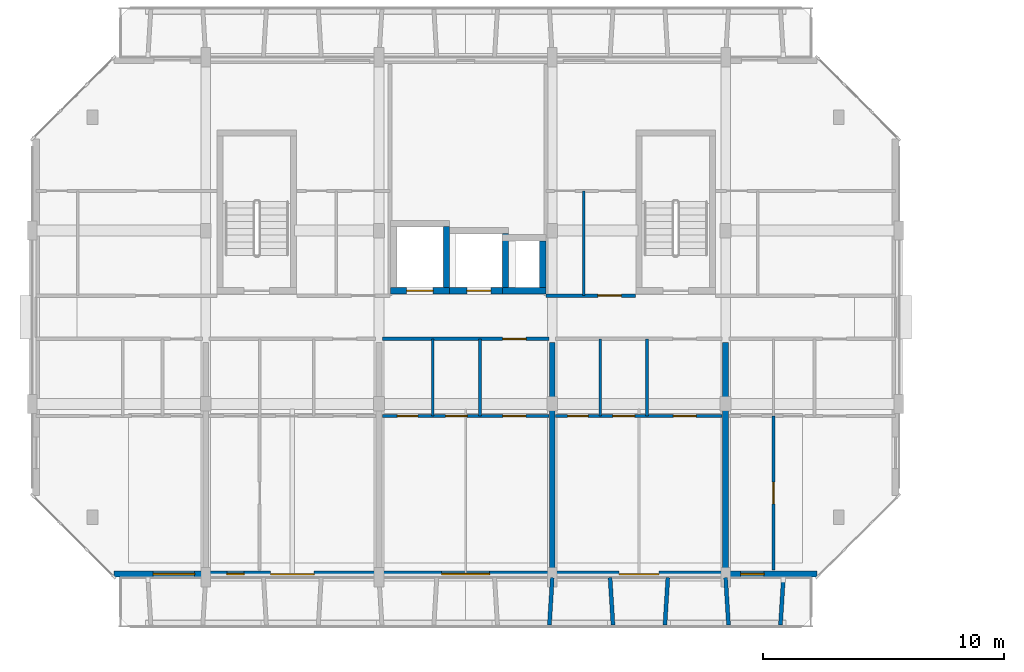
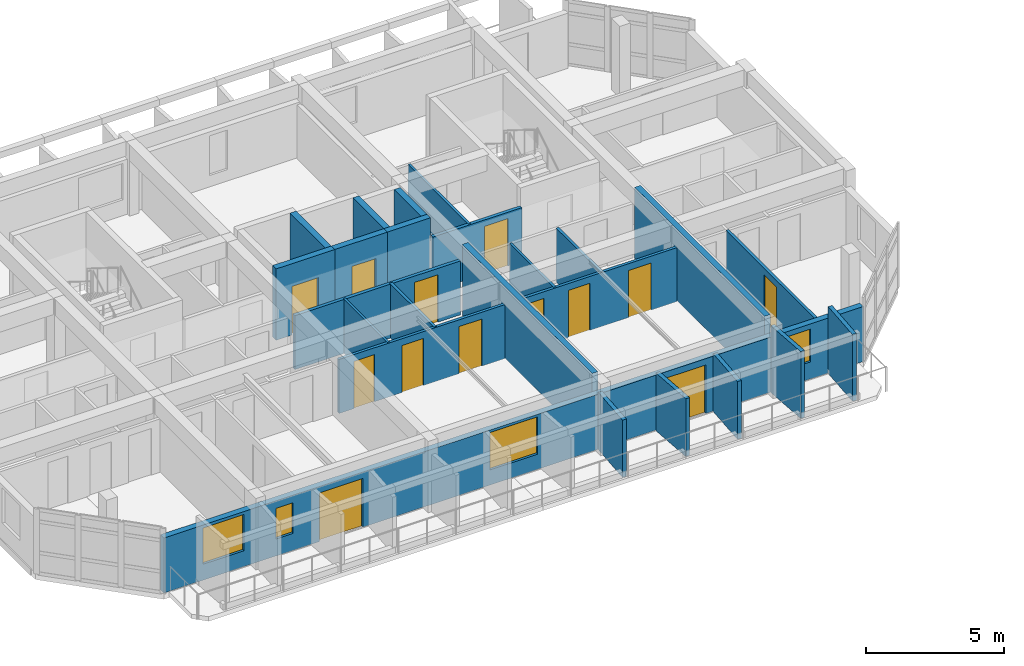
# One storey, part 16 of 44: 24 walls, 13 doors, 4 windows, 17 openings.
"""IFC4 building model written with IfcOpenShell, lengths in metres."""

from ifc_helpers import new_model, si_unit, direction, frame, frame_2d, origin, place, context, subcontext, project, spatial, rectangle, extrude, material, layer, layer_set, type_object, element, fill, save


model = new_model("IFC4")

# Units and contexts
model_context = context("Model", 3, precision=1e-05, world=origin(), true_north=direction((0.0, 1.0)))
body_context = subcontext(model_context, "Body", "Model", "MODEL_VIEW")
ifc_project = project(units=[si_unit("LENGTHUNIT", "METRE"), si_unit("AREAUNIT", "SQUARE_METRE"), si_unit("VOLUMEUNIT", "CUBIC_METRE"), si_unit("PLANEANGLEUNIT", "RADIAN"), si_unit("MASSUNIT", "GRAM", prefix="KILO")], contexts=[model_context])

# Site, building, storey
site_placement = place(None, origin())
site = spatial("IfcSite", under=ifc_project, at=site_placement, CompositionType="ELEMENT")
building_placement = place(site_placement, origin())
building = spatial("IfcBuilding", under=site, at=building_placement, Name="Ochrevale Crest", CompositionType="ELEMENT")
storey_placement = place(building_placement, frame((0.0, 0.0, 21.300048828125)))
storey = spatial("IfcBuildingStorey", under=building, at=storey_placement, Name="L06", CompositionType="ELEMENT", Elevation=21.300048828125)

# Wall, opening, door
ifc_material_1 = material(Name="Gypsum plasterboard", Category="gypsum")
ifc_layer_1 = layer(ifc_material_1, 0.139892578125)
ifc_layer_set_1 = layer_set([ifc_layer_1], Name="Gypsum plasterboard")
wall_type_1 = type_object("IfcWallType", Name="WL-COR-140", PredefinedType="PARTITIONING", material=ifc_layer_set_1)
wall_1_placement = place(storey_placement, frame((14.5400390625, 24.300048828125, 0.0), z_axis=(0.0, 0.0, 1.0), x_axis=(1.0, 0.0, 0.0)))
wall_1 = element("IfcWall", 1, at=wall_1_placement, inside=storey, type_object=wall_type_1, Name="Apartment A-L06-U3 corridor wall", PredefinedType="PARTITIONING", context=body_context, shape_type="SweptSolid", body=[
    extrude(rectangle(XDim=6.919921875, YDim=0.139892578125, at=frame_2d((3.4599609375, 0.0))), origin(), (0.0, 0.0, 1.0), 2.3798828125),
])
opening_1_placement = place(wall_1_placement, frame((5.97509765625, 0.0, 0.0), z_axis=(0.0, 0.0, 1.0), x_axis=(-1.0, 0.0, 0.0)))
opening_1 = element("IfcOpeningElement", 2, at=opening_1_placement, cuts=wall_1, Name="Opening FD01", PredefinedType="OPENING", context=body_context, shape_type="SweptSolid", body=[
    extrude(rectangle(XDim=0.97998046875, YDim=2.10009765625, at=frame_2d((0.489990234375, 1.050048828125))), frame((0.0, 0.080078125, 0.0), z_axis=(0.0, -1.0, 0.0), x_axis=(1.0, 0.0, 0.0)), (0.0, 0.0, 1.0), 0.159912109375),
])
ifc_material_2 = material(Name="Solid-core FSC hardwood", Category="wood")
door_type_1 = type_object("IfcDoorType", Name="DR-APT-950", OperationType="NOTDEFINED", PredefinedType="DOOR", material=ifc_material_2)
door_1_placement = place(opening_1_placement, origin())
door_1 = element("IfcDoor", 3, at=door_1_placement, inside=storey, type_object=door_type_1, Name="Apartment A-L06-U3 entrance door", OperationType="SINGLE_SWING_RIGHT", OverallHeight=2.10009765625, OverallWidth=0.97998046875, PredefinedType="DOOR", context=body_context, shape_type="SweptSolid", body=[
    extrude(rectangle(XDim=0.97998046875, YDim=2.10009765625, at=frame_2d((0.489990234375, 1.050048828125))), frame((0.0, 0.02490234375, 0.0), z_axis=(0.0, -1.0, 0.0), x_axis=(1.0, 0.0, 0.0)), (0.0, 0.0, 1.0), 0.050048828125),
])
fill(opening_1, door_1)

wall_2_placement = place(storey_placement, frame((21.340087890625, 26.10009765625, 0.0), z_axis=(0.0, 0.0, 1.0), x_axis=(1.0, 0.0, 0.0)))
wall_2 = element("IfcWall", 4, at=wall_2_placement, inside=storey, type_object=wall_type_1, Name="Suite A-L06-ME corridor wall", PredefinedType="PARTITIONING", context=body_context, shape_type="SweptSolid", body=[
    extrude(rectangle(XDim=3.719970703125, YDim=0.139892578125, at=frame_2d((1.85986328125, 0.0))), origin(), (0.0, 0.0, 1.0), 2.3798828125),
])
opening_2_placement = place(wall_2_placement, frame((2.151123046875, 0.0, 0.0)))
opening_2 = element("IfcOpeningElement", 5, at=opening_2_placement, cuts=wall_2, Name="Opening FD01", PredefinedType="OPENING", context=body_context, shape_type="SweptSolid", body=[
    extrude(rectangle(XDim=0.97998046875, YDim=2.10009765625, at=frame_2d((0.489990234375, 1.050048828125))), frame((0.0, 0.080078125, 0.0), z_axis=(0.0, -1.0, 0.0), x_axis=(1.0, 0.0, 0.0)), (0.0, 0.0, 1.0), 0.159912109375),
])
door_2_placement = place(opening_2_placement, origin())
door_2 = element("IfcDoor", 6, at=door_2_placement, inside=storey, type_object=door_type_1, Name="Suite A-L06-ME entrance door", OperationType="SINGLE_SWING_LEFT", OverallHeight=2.10009765625, OverallWidth=0.97998046875, PredefinedType="DOOR", context=body_context, shape_type="SweptSolid", body=[
    extrude(rectangle(XDim=0.97998046875, YDim=2.10009765625, at=frame_2d((0.489990234375, 1.050048828125))), frame((0.0, 0.02490234375, 0.0), z_axis=(0.0, -1.0, 0.0), x_axis=(1.0, 0.0, 0.0)), (0.0, 0.0, 1.0), 0.050048828125),
])
fill(opening_2, door_2)

ifc_material_3 = material(Name="Precast concrete C50/60", Category="concrete")
ifc_layer_2 = layer(ifc_material_3, 0.2548828125)
ifc_layer_set_2 = layer_set([ifc_layer_2], Name="Precast concrete C50/60")
wall_type_2 = type_object("IfcWallType", Name="WL-CORE-255", PredefinedType="SHEAR", material=ifc_layer_set_2)
wall_3_placement = place(storey_placement, frame((14.87255859375, 26.300048828125, 0.0), z_axis=(0.0, 0.0, 1.0), x_axis=(1.0, 0.0, 0.0)))
wall_3 = element("IfcWall", 7, at=wall_3_placement, inside=storey, type_object=wall_type_2, Name="Block A L06 Lift 1 precast shaft shear wall S", PredefinedType="SHEAR", context=body_context, shape_type="SweptSolid", body=[
    extrude(rectangle(XDim=2.454833984375, YDim=0.2548828125, at=frame_2d((1.2275390625, 0.0))), origin(), (0.0, 0.0, 1.0), 3.14990234375),
])
opening_3_placement = place(wall_3_placement, frame((0.677490234375, 0.0, 0.0)))
opening_3 = element("IfcOpeningElement", 8, at=opening_3_placement, cuts=wall_3, Name="Opening LD01", PredefinedType="OPENING", context=body_context, shape_type="SweptSolid", body=[
    extrude(rectangle(XDim=1.10009765625, YDim=2.14990234375, at=frame_2d((0.550048828125, 1.074951171875))), frame((0.0, 0.137451171875, 0.0), z_axis=(0.0, -1.0, 0.0), x_axis=(1.0, 0.0, 0.0)), (0.0, 0.0, 1.0), 0.27490234375),
])
door_type_2 = type_object("IfcDoorType", Name="DR-LIFT-1100", OperationType="NOTDEFINED", PredefinedType="DOOR", material=ifc_material_2)
door_3_placement = place(opening_3_placement, origin())
door_3 = element("IfcDoor", 9, at=door_3_placement, inside=storey, type_object=door_type_2, Name="Lift LF-A1 L06 sliding landing door", OperationType="SLIDING_TO_LEFT", OverallHeight=2.14990234375, OverallWidth=1.10009765625, PredefinedType="DOOR", context=body_context, shape_type="SweptSolid", body=[
    extrude(rectangle(XDim=1.10009765625, YDim=2.14990234375, at=frame_2d((0.550048828125, 1.074951171875))), frame((0.0, 0.02490234375, 0.0), z_axis=(0.0, -1.0, 0.0), x_axis=(1.0, 0.0, 0.0)), (0.0, 0.0, 1.0), 0.050048828125),
])
fill(opening_3, door_3)

# Wall
wall_4_placement = place(storey_placement, frame((17.199951171875, 26.427490234375, 0.0), z_axis=(0.0, 0.0, 1.0), x_axis=(0.0, 1.0, 0.0)))
element("IfcWall", 10, at=wall_4_placement, inside=storey, type_object=wall_type_2, Name="Block A L06 Lift 1 precast shaft shear wall E", PredefinedType="SHEAR", context=body_context, shape_type="SweptSolid", body=[
    extrude(rectangle(XDim=2.544921875, YDim=0.2548828125, at=frame_2d((1.2724609375, 0.0))), origin(), (0.0, 0.0, 1.0), 3.14990234375),
])

# Wall, opening, door
wall_5_placement = place(storey_placement, frame((17.322509765625, 26.300048828125, 0.0), z_axis=(0.0, 0.0, 1.0), x_axis=(1.0, 0.0, 0.0)))
wall_5 = element("IfcWall", 11, at=wall_5_placement, inside=storey, type_object=wall_type_2, Name="Block A L06 Lift 2 precast shaft shear wall S", PredefinedType="SHEAR", context=body_context, shape_type="SweptSolid", body=[
    extrude(rectangle(XDim=2.455078125, YDim=0.2548828125, at=frame_2d((1.2275390625, 0.0))), origin(), (0.0, 0.0, 1.0), 3.14990234375),
])
opening_4_placement = place(wall_5_placement, frame((0.7275390625, 0.0, 0.0)))
opening_4 = element("IfcOpeningElement", 12, at=opening_4_placement, cuts=wall_5, Name="Opening LD02", PredefinedType="OPENING", context=body_context, shape_type="SweptSolid", body=[
    extrude(rectangle(XDim=1.0, YDim=2.14990234375, at=frame_2d((0.5, 1.074951171875))), frame((0.0, 0.137451171875, 0.0), z_axis=(0.0, -1.0, 0.0), x_axis=(1.0, 0.0, 0.0)), (0.0, 0.0, 1.0), 0.27490234375),
])
door_type_3 = type_object("IfcDoorType", Name="DR-LIFT-1000", OperationType="NOTDEFINED", PredefinedType="DOOR", material=ifc_material_2)
door_4_placement = place(opening_4_placement, origin())
door_4 = element("IfcDoor", 13, at=door_4_placement, inside=storey, type_object=door_type_3, Name="Lift LP-A2 L06 sliding landing door", OperationType="SLIDING_TO_RIGHT", OverallHeight=2.14990234375, OverallWidth=1.0, PredefinedType="DOOR", context=body_context, shape_type="SweptSolid", body=[
    extrude(rectangle(XDim=1.0, YDim=2.14990234375, at=frame_2d((0.5, 1.074951171875))), frame((0.0, 0.02490234375, 0.0), z_axis=(0.0, -1.0, 0.0), x_axis=(1.0, 0.0, 0.0)), (0.0, 0.0, 1.0), 0.050048828125),
])
fill(opening_4, door_4)

# Walls
wall_6_placement = place(storey_placement, frame((19.64990234375, 26.427490234375, 0.0), z_axis=(0.0, 0.0, 1.0), x_axis=(0.0, 1.0, 0.0)))
element("IfcWall", 14, at=wall_6_placement, inside=storey, type_object=wall_type_2, Name="Block A L06 Lift 2 precast shaft shear wall E", PredefinedType="SHEAR", context=body_context, shape_type="SweptSolid", body=[
    extrude(rectangle(XDim=2.2451171875, YDim=0.2548828125, at=frame_2d((1.12255859375, 0.0))), origin(), (0.0, 0.0, 1.0), 3.14990234375),
])
wall_7_placement = place(storey_placement, frame((19.5224609375, 26.300048828125, 0.0), z_axis=(0.0, 0.0, 1.0), x_axis=(1.0, 0.0, 0.0)))
element("IfcWall", 15, at=wall_7_placement, inside=storey, type_object=wall_type_2, Name="Block A L06 services riser shaft core wall S", PredefinedType="SHEAR", context=body_context, shape_type="SweptSolid", body=[
    extrude(rectangle(XDim=1.804931640625, YDim=0.2548828125, at=frame_2d((0.90234375, 0.0))), origin(), (0.0, 0.0, 1.0), 3.14990234375),
])
wall_8_placement = place(storey_placement, frame((21.199951171875, 26.427490234375, 0.0), z_axis=(0.0, 0.0, 1.0), x_axis=(0.0, 1.0, 0.0)))
element("IfcWall", 16, at=wall_8_placement, inside=storey, type_object=wall_type_2, Name="Block A L06 services riser shaft core wall E", PredefinedType="SHEAR", context=body_context, shape_type="SweptSolid", body=[
    extrude(rectangle(XDim=1.945068359375, YDim=0.2548828125, at=frame_2d((0.97265625, 0.0))), origin(), (0.0, 0.0, 1.0), 3.14990234375),
])

# Wall, openings, doors, windows
ifc_material_4 = material(Name="Precast concrete C40/50", Category="concrete")
ifc_layer_3 = layer(ifc_material_4, 0.25)
ifc_layer_set_3 = layer_set([ifc_layer_3], Name="Precast concrete C40/50")
wall_type_3 = type_object("IfcWallType", Name="WL-EXT-GOLD-250", PredefinedType="SOLIDWALL", material=ifc_layer_set_3)
wall_9_placement = place(storey_placement, frame((3.39990234375, 14.52490234375, 0.0), z_axis=(0.0, 0.0, 1.0), x_axis=(1.0, 0.0, 0.0)))
wall_9 = element("IfcWall", 17, at=wall_9_placement, inside=storey, type_object=wall_type_3, Name="Block A L06 external facade wall E1", PredefinedType="SOLIDWALL", context=body_context, shape_type="SweptSolid", body=[
    extrude(rectangle(XDim=29.2001953125, YDim=0.25, at=frame_2d((14.60009765625, 0.0))), origin(), (0.0, 0.0, 1.0), 2.429931640625),
])
opening_5_placement = place(wall_9_placement, frame((8.300048828125, 0.0, 0.0), z_axis=(0.0, 0.0, 1.0), x_axis=(-1.0, 0.0, 0.0)))
opening_5 = element("IfcOpeningElement", 18, at=opening_5_placement, cuts=wall_9, Name="Opening BD03", PredefinedType="OPENING", context=body_context, shape_type="SweptSolid", body=[
    extrude(rectangle(XDim=1.800048828125, YDim=2.14990234375, at=frame_2d((0.89990234375, 1.074951171875))), frame((0.0, 0.135009765625, 0.0), z_axis=(0.0, -1.0, 0.0), x_axis=(1.0, 0.0, 0.0)), (0.0, 0.0, 1.0), 0.27001953125),
])
opening_6_placement = place(wall_9_placement, frame((22.625, 0.0, 0.0), z_axis=(0.0, 0.0, 1.0), x_axis=(-1.0, 0.0, 0.0)))
opening_6 = element("IfcOpeningElement", 19, at=opening_6_placement, cuts=wall_9, Name="Opening BD02", PredefinedType="OPENING", context=body_context, shape_type="SweptSolid", body=[
    extrude(rectangle(XDim=1.64990234375, YDim=2.14990234375, at=frame_2d((0.824951171875, 1.074951171875))), frame((0.0, 0.135009765625, 0.0), z_axis=(0.0, -1.0, 0.0), x_axis=(1.0, 0.0, 0.0)), (0.0, 0.0, 1.0), 0.27001953125),
])
opening_7_placement = place(wall_9_placement, frame((1.6201171875, 0.0, 0.699951171875)))
opening_7 = element("IfcOpeningElement", 20, at=opening_7_placement, cuts=wall_9, Name="Opening W10", PredefinedType="OPENING", context=body_context, shape_type="SweptSolid", body=[
    extrude(rectangle(XDim=1.719970703125, YDim=1.60009765625, at=frame_2d((0.85986328125, 0.800048828125))), frame((0.0, 0.135009765625, 0.0), z_axis=(0.0, -1.0, 0.0), x_axis=(1.0, 0.0, 0.0)), (0.0, 0.0, 1.0), 0.27001953125),
])
opening_8_placement = place(wall_9_placement, frame((4.675048828125, 0.0, 0.75)))
opening_8 = element("IfcOpeningElement", 21, at=opening_8_placement, cuts=wall_9, Name="Opening W02", PredefinedType="OPENING", context=body_context, shape_type="SweptSolid", body=[
    extrude(rectangle(XDim=0.719970703125, YDim=1.35009765625, at=frame_2d((0.35986328125, 0.675048828125))), frame((0.0, 0.135009765625, 0.0), z_axis=(0.0, -1.0, 0.0), x_axis=(1.0, 0.0, 0.0)), (0.0, 0.0, 1.0), 0.27001953125),
])
opening_9_placement = place(wall_9_placement, frame((13.60009765625, 0.0, 0.669921875)))
opening_9 = element("IfcOpeningElement", 22, at=opening_9_placement, cuts=wall_9, Name="Opening W12", PredefinedType="OPENING", context=body_context, shape_type="SweptSolid", body=[
    extrude(rectangle(XDim=2.0, YDim=1.64990234375, at=frame_2d((1.0, 0.824951171875))), frame((0.0, 0.135009765625, 0.0), z_axis=(0.0, -1.0, 0.0), x_axis=(1.0, 0.0, 0.0)), (0.0, 0.0, 1.0), 0.27001953125),
])
opening_10_placement = place(wall_9_placement, frame((26.02001953125, 0.0, 0.75)))
opening_10 = element("IfcOpeningElement", 23, at=opening_10_placement, cuts=wall_9, Name="Opening W04", PredefinedType="OPENING", context=body_context, shape_type="SweptSolid", body=[
    extrude(rectangle(XDim=0.97998046875, YDim=1.449951171875, at=frame_2d((0.489990234375, 0.72509765625))), frame((0.0, 0.135009765625, 0.0), z_axis=(0.0, -1.0, 0.0), x_axis=(1.0, 0.0, 0.0)), (0.0, 0.0, 1.0), 0.27001953125),
])
ifc_material_5 = material(Name="Anodised aluminium 6063-T5 and toughened glass", Category="aluminium")
door_type_4 = type_object("IfcDoorType", Name="DR-BAL-1650", OperationType="NOTDEFINED", PredefinedType="DOOR", material=ifc_material_5)
door_5_placement = place(opening_6_placement, origin())
door_5 = element("IfcDoor", 24, at=door_5_placement, inside=storey, type_object=door_type_4, Name="Block A L06 balcony door S4", OperationType="SINGLE_SWING_RIGHT", OverallHeight=2.14990234375, OverallWidth=1.64990234375, PredefinedType="DOOR", context=body_context, shape_type="SweptSolid", body=[
    extrude(rectangle(XDim=1.64990234375, YDim=2.14990234375, at=frame_2d((0.824951171875, 1.074951171875))), frame((0.0, 0.02490234375, 0.0), z_axis=(0.0, -1.0, 0.0), x_axis=(1.0, 0.0, 0.0)), (0.0, 0.0, 1.0), 0.050048828125),
])
fill(opening_6, door_5)
door_type_5 = type_object("IfcDoorType", Name="DR-BAL-1800", OperationType="NOTDEFINED", PredefinedType="DOOR", material=ifc_material_5)
door_6_placement = place(opening_5_placement, origin())
door_6 = element("IfcDoor", 25, at=door_6_placement, inside=storey, type_object=door_type_5, Name="Block A L06 balcony door S2", OperationType="SINGLE_SWING_LEFT", OverallHeight=2.14990234375, OverallWidth=1.800048828125, PredefinedType="DOOR", context=body_context, shape_type="SweptSolid", body=[
    extrude(rectangle(XDim=1.800048828125, YDim=2.14990234375, at=frame_2d((0.89990234375, 1.074951171875))), frame((0.0, 0.02490234375, 0.0), z_axis=(0.0, -1.0, 0.0), x_axis=(1.0, 0.0, 0.0)), (0.0, 0.0, 1.0), 0.050048828125),
])
fill(opening_5, door_6)
ifc_material_6 = material(Name="Anodised aluminium 6063-T5 and low-E double glazing", Category="aluminium")
window_type_1 = type_object("IfcWindowType", Name="WIN-W02", PartitioningType="SINGLE_PANEL", PredefinedType="WINDOW", material=ifc_material_6)
window_1_placement = place(opening_8_placement, origin())
window_1 = element("IfcWindow", 26, at=window_1_placement, inside=storey, type_object=window_type_1, Name="Block A L06 Apartment A-L06-U2 Master Bedroom window", OverallHeight=1.35009765625, OverallWidth=0.719970703125, PartitioningType="SINGLE_PANEL", PredefinedType="WINDOW", context=body_context, shape_type="SweptSolid", body=[
    extrude(rectangle(XDim=0.719970703125, YDim=1.35009765625, at=frame_2d((0.35986328125, 0.675048828125))), frame((0.0, 0.030029296875, 0.0), z_axis=(0.0, -1.0, 0.0), x_axis=(1.0, 0.0, 0.0)), (0.0, 0.0, 1.0), 0.06005859375),
])
fill(opening_8, window_1)
window_type_2 = type_object("IfcWindowType", Name="WIN-W04", PartitioningType="SINGLE_PANEL", PredefinedType="WINDOW", material=ifc_material_6)
window_2_placement = place(opening_10_placement, origin())
window_2 = element("IfcWindow", 27, at=window_2_placement, inside=storey, type_object=window_type_2, Name="Block A L06 Apartment A-L06-U5 Double Bedroom window", OverallHeight=1.449951171875, OverallWidth=0.97998046875, PartitioningType="SINGLE_PANEL", PredefinedType="WINDOW", context=body_context, shape_type="SweptSolid", body=[
    extrude(rectangle(XDim=0.97998046875, YDim=1.449951171875, at=frame_2d((0.489990234375, 0.72509765625))), frame((0.0, 0.030029296875, 0.0), z_axis=(0.0, -1.0, 0.0), x_axis=(1.0, 0.0, 0.0)), (0.0, 0.0, 1.0), 0.06005859375),
])
fill(opening_10, window_2)
window_type_3 = type_object("IfcWindowType", Name="WIN-W10", PartitioningType="SINGLE_PANEL", PredefinedType="WINDOW", material=ifc_material_6)
window_3_placement = place(opening_7_placement, origin())
window_3 = element("IfcWindow", 28, at=window_3_placement, inside=storey, type_object=window_type_3, Name="Block A L06 Studio A-L06-U1 Living Room window", OverallHeight=1.60009765625, OverallWidth=1.719970703125, PartitioningType="SINGLE_PANEL", PredefinedType="WINDOW", context=body_context, shape_type="SweptSolid", body=[
    extrude(rectangle(XDim=1.719970703125, YDim=1.60009765625, at=frame_2d((0.85986328125, 0.800048828125))), frame((0.0, 0.030029296875, 0.0), z_axis=(0.0, -1.0, 0.0), x_axis=(1.0, 0.0, 0.0)), (0.0, 0.0, 1.0), 0.06005859375),
])
fill(opening_7, window_3)
window_type_4 = type_object("IfcWindowType", Name="WIN-W12", PartitioningType="SINGLE_PANEL", PredefinedType="WINDOW", material=ifc_material_6)
window_4_placement = place(opening_9_placement, origin())
window_4 = element("IfcWindow", 29, at=window_4_placement, inside=storey, type_object=window_type_4, Name="Block A L06 Studio A-L06-U3 Living Room window", OverallHeight=1.64990234375, OverallWidth=2.0, PartitioningType="SINGLE_PANEL", PredefinedType="WINDOW", context=body_context, shape_type="SweptSolid", body=[
    extrude(rectangle(XDim=2.0, YDim=1.64990234375, at=frame_2d((1.0, 0.824951171875))), frame((0.0, 0.030029296875, 0.0), z_axis=(0.0, -1.0, 0.0), x_axis=(1.0, 0.0, 0.0)), (0.0, 0.0, 1.0), 0.06005859375),
])
fill(opening_9, window_4)

# Walls
ifc_layer_4 = layer(ifc_material_4, 0.1650390625)
ifc_layer_set_4 = layer_set([ifc_layer_4], Name="Precast concrete C40/50")
wall_type_4 = type_object("IfcWallType", Name="WL-HC-CHEEK-165", PredefinedType="ELEMENTEDWALL", material=ifc_layer_set_4)
wall_10_placement = place(storey_placement, frame((21.60009765625, 14.3798828125, 0.0), z_axis=(0.0, 0.0, 1.0), x_axis=(-0.061170732449, -0.998127317276, 0.0)))
element("IfcWall", 30, at=wall_10_placement, inside=storey, type_object=wall_type_4, Name="Block A L06 S precast honeycomb cheek 8", PredefinedType="ELEMENTEDWALL", context=body_context, shape_type="SweptSolid", body=[
    extrude(rectangle(XDim=1.963623046875, YDim=0.1650390625, at=frame_2d((0.98193359375, 0.0))), origin(), (0.0, 0.0, 1.0), 2.530029296875),
])
for number, where, z_axis, x_axis, name in (
    (31, (24.0, 14.3798828125, 0.0), (0.0, 0.0, 1.0), (0.061170732449, -0.998127317276, 0.0), "Block A L06 S precast honeycomb cheek 9"),
    (32, (26.39990234375, 14.3798828125, 0.0), (0.0, 0.0, 1.0), (-0.061046865508, -0.998134900808, 0.0), "Block A L06 S precast honeycomb cheek 10"),
):
    element("IfcWall", number, at=place(storey_placement, frame(where, z_axis=z_axis, x_axis=x_axis)), inside=storey, type_object=wall_type_4, Name=name, PredefinedType="ELEMENTEDWALL", context=body_context, shape_type="SweptSolid", body=[
        extrude(rectangle(XDim=1.963623046875, YDim=0.1650390625, at=frame_2d((0.98193359375, 0.0))), origin(), (0.0, 0.0, 1.0), 2.550048828125),
    ])
for number, where, z_axis, x_axis, name in (
    (33, (28.800048828125, 14.3798828125, 0.0), (0.0, 0.0, 1.0), (0.061046865508, -0.998134900808, 0.0), "Block A L06 S precast honeycomb cheek 11"),
    (34, (31.199951171875, 14.3798828125, 0.0), (0.0, 0.0, 1.0), (-0.061046865508, -0.998134900808, 0.0), "Block A L06 S precast honeycomb cheek 12"),
):
    element("IfcWall", number, at=place(storey_placement, frame(where, z_axis=z_axis, x_axis=x_axis)), inside=storey, type_object=wall_type_4, Name=name, PredefinedType="ELEMENTEDWALL", context=body_context, shape_type="SweptSolid", body=[
        extrude(rectangle(XDim=1.963623046875, YDim=0.1650390625, at=frame_2d((0.98193359375, 0.0))), origin(), (0.0, 0.0, 1.0), 2.949951171875),
    ])
ifc_layer_5 = layer(ifc_material_1, 0.1201171875)
ifc_layer_set_5 = layer_set([ifc_layer_5], Name="Gypsum plasterboard")
wall_type_5 = type_object("IfcWallType", Name="WL-PART-120", PredefinedType="PARTITIONING", material=ifc_layer_set_5)
wall_11_placement = place(storey_placement, frame((18.590087890625, 21.10009765625, 0.0), z_axis=(0.0, 0.0, 1.0), x_axis=(0.0, 1.0, 0.0)))
element("IfcWall", 35, at=wall_11_placement, inside=storey, type_object=wall_type_5, Name="Apartment A-L06-U3 kitchen-foyer wall", PredefinedType="PARTITIONING", context=body_context, shape_type="SweptSolid", body=[
    extrude(rectangle(XDim=3.199951171875, YDim=0.1201171875, at=frame_2d((1.60009765625, 0.0))), origin(), (0.0, 0.0, 1.0), 2.3798828125),
])

# Wall, openings, doors
wall_12_placement = place(storey_placement, frame((14.5400390625, 21.10009765625, 0.0), z_axis=(0.0, 0.0, 1.0), x_axis=(1.0, 0.0, 0.0)))
wall_12 = element("IfcWall", 36, at=wall_12_placement, inside=storey, type_object=wall_type_5, Name="Apartment A-L06-U3 central partition", PredefinedType="PARTITIONING", context=body_context, shape_type="SweptSolid", body=[
    extrude(rectangle(XDim=6.919921875, YDim=0.1201171875, at=frame_2d((3.4599609375, 0.0))), origin(), (0.0, 0.0, 1.0), 2.3798828125),
])
opening_11_placement = place(wall_12_placement, frame((0.625, 0.0, 0.0)))
opening_11 = element("IfcOpeningElement", 37, at=opening_11_placement, cuts=wall_12, Name="Opening ID01", PredefinedType="OPENING", context=body_context, shape_type="SweptSolid", body=[
    extrude(rectangle(XDim=0.85009765625, YDim=2.080078125, at=frame_2d((0.425048828125, 1.0400390625))), frame((0.0, 0.070068359375, 0.0), z_axis=(0.0, -1.0, 0.0), x_axis=(1.0, 0.0, 0.0)), (0.0, 0.0, 1.0), 0.14013671875),
])
opening_12_placement = place(wall_12_placement, frame((3.52490234375, 0.0, 0.0), z_axis=(0.0, 0.0, 1.0), x_axis=(-1.0, 0.0, 0.0)))
opening_12 = element("IfcOpeningElement", 38, at=opening_12_placement, cuts=wall_12, Name="Opening ID02", PredefinedType="OPENING", context=body_context, shape_type="SweptSolid", body=[
    extrude(rectangle(XDim=0.89990234375, YDim=2.080078125, at=frame_2d((0.449951171875, 1.0400390625))), frame((0.0, 0.070068359375, 0.0), z_axis=(0.0, -1.0, 0.0), x_axis=(1.0, 0.0, 0.0)), (0.0, 0.0, 1.0), 0.14013671875),
])
opening_13_placement = place(wall_12_placement, frame((5.010009765625, 0.0, 0.0)))
opening_13 = element("IfcOpeningElement", 39, at=opening_13_placement, cuts=wall_12, Name="Opening ID06", PredefinedType="OPENING", context=body_context, shape_type="SweptSolid", body=[
    extrude(rectangle(XDim=0.949951171875, YDim=2.080078125, at=frame_2d((0.47509765625, 1.0400390625))), frame((0.0, 0.070068359375, 0.0), z_axis=(0.0, -1.0, 0.0), x_axis=(1.0, 0.0, 0.0)), (0.0, 0.0, 1.0), 0.14013671875),
])
door_type_6 = type_object("IfcDoorType", Name="DR-INT-900", OperationType="NOTDEFINED", PredefinedType="DOOR", material=ifc_material_2)
door_7_placement = place(opening_12_placement, origin())
door_7 = element("IfcDoor", 40, at=door_7_placement, inside=storey, type_object=door_type_6, Name="Apartment A-L06-U3 Kitchen door", OperationType="SINGLE_SWING_RIGHT", OverallHeight=2.080078125, OverallWidth=0.89990234375, PredefinedType="DOOR", context=body_context, shape_type="SweptSolid", body=[
    extrude(rectangle(XDim=0.89990234375, YDim=2.080078125, at=frame_2d((0.449951171875, 1.0400390625))), frame((0.0, 0.02490234375, 0.0), z_axis=(0.0, -1.0, 0.0), x_axis=(1.0, 0.0, 0.0)), (0.0, 0.0, 1.0), 0.050048828125),
])
fill(opening_12, door_7)
door_type_7 = type_object("IfcDoorType", Name="DR-INT-950", OperationType="NOTDEFINED", PredefinedType="DOOR", material=ifc_material_2)
door_8_placement = place(opening_13_placement, origin())
door_8 = element("IfcDoor", 41, at=door_8_placement, inside=storey, type_object=door_type_7, Name="Apartment A-L06-U3 Living Foyer door", OperationType="SINGLE_SWING_LEFT", OverallHeight=2.080078125, OverallWidth=0.949951171875, PredefinedType="DOOR", context=body_context, shape_type="SweptSolid", body=[
    extrude(rectangle(XDim=0.949951171875, YDim=2.080078125, at=frame_2d((0.47509765625, 1.0400390625))), frame((0.0, 0.02490234375, 0.0), z_axis=(0.0, -1.0, 0.0), x_axis=(1.0, 0.0, 0.0)), (0.0, 0.0, 1.0), 0.050048828125),
])
fill(opening_13, door_8)
door_type_8 = type_object("IfcDoorType", Name="DR-WC-850", OperationType="NOTDEFINED", PredefinedType="DOOR", material=ifc_material_2)
door_9_placement = place(opening_11_placement, origin())
door_9 = element("IfcDoor", 42, at=door_9_placement, inside=storey, type_object=door_type_8, Name="Apartment A-L06-U3 Bathroom door", OperationType="SINGLE_SWING_LEFT", OverallHeight=2.080078125, OverallWidth=0.85009765625, PredefinedType="DOOR", context=body_context, shape_type="SweptSolid", body=[
    extrude(rectangle(XDim=0.85009765625, YDim=2.080078125, at=frame_2d((0.425048828125, 1.0400390625))), frame((0.0, 0.02490234375, 0.0), z_axis=(0.0, -1.0, 0.0), x_axis=(1.0, 0.0, 0.0)), (0.0, 0.0, 1.0), 0.050048828125),
])
fill(opening_11, door_9)

# Wall
wall_13_placement = place(storey_placement, frame((25.5400390625, 21.10009765625, 0.0), z_axis=(0.0, 0.0, 1.0), x_axis=(0.0, 1.0, 0.0)))
element("IfcWall", 43, at=wall_13_placement, inside=storey, type_object=wall_type_5, Name="Apartment A-L06-U4 kitchen-foyer wall", PredefinedType="PARTITIONING", context=body_context, shape_type="SweptSolid", body=[
    extrude(rectangle(XDim=3.199951171875, YDim=0.1201171875, at=frame_2d((1.60009765625, 0.0))), origin(), (0.0, 0.0, 1.0), 2.3798828125),
])

# Wall, openings, doors
wall_14_placement = place(storey_placement, frame((21.739990234375, 21.10009765625, 0.0), z_axis=(0.0, 0.0, 1.0), x_axis=(1.0, 0.0, 0.0)))
wall_14 = element("IfcWall", 44, at=wall_14_placement, inside=storey, type_object=wall_type_5, Name="Apartment A-L06-U4 central partition", PredefinedType="PARTITIONING", context=body_context, shape_type="SweptSolid", body=[
    extrude(rectangle(XDim=6.919921875, YDim=0.1201171875, at=frame_2d((3.4599609375, 0.0))), origin(), (0.0, 0.0, 1.0), 2.3798828125),
])
opening_14_placement = place(wall_14_placement, frame((0.5, 0.0, 0.0)))
opening_14 = element("IfcOpeningElement", 45, at=opening_14_placement, cuts=wall_14, Name="Opening ID01", PredefinedType="OPENING", context=body_context, shape_type="SweptSolid", body=[
    extrude(rectangle(XDim=0.85009765625, YDim=2.080078125, at=frame_2d((0.425048828125, 1.0400390625))), frame((0.0, 0.070068359375, 0.0), z_axis=(0.0, -1.0, 0.0), x_axis=(1.0, 0.0, 0.0)), (0.0, 0.0, 1.0), 0.14013671875),
])
opening_15_placement = place(wall_14_placement, frame((3.27490234375, 0.0, 0.0), z_axis=(0.0, 0.0, 1.0), x_axis=(-1.0, 0.0, 0.0)))
opening_15 = element("IfcOpeningElement", 46, at=opening_15_placement, cuts=wall_14, Name="Opening ID02", PredefinedType="OPENING", context=body_context, shape_type="SweptSolid", body=[
    extrude(rectangle(XDim=0.89990234375, YDim=2.080078125, at=frame_2d((0.449951171875, 1.0400390625))), frame((0.0, 0.070068359375, 0.0), z_axis=(0.0, -1.0, 0.0), x_axis=(1.0, 0.0, 0.0)), (0.0, 0.0, 1.0), 0.14013671875),
])
opening_16_placement = place(wall_14_placement, frame((4.885009765625, 0.0, 0.0)))
opening_16 = element("IfcOpeningElement", 47, at=opening_16_placement, cuts=wall_14, Name="Opening ID06", PredefinedType="OPENING", context=body_context, shape_type="SweptSolid", body=[
    extrude(rectangle(XDim=0.949951171875, YDim=2.080078125, at=frame_2d((0.47509765625, 1.0400390625))), frame((0.0, 0.070068359375, 0.0), z_axis=(0.0, -1.0, 0.0), x_axis=(1.0, 0.0, 0.0)), (0.0, 0.0, 1.0), 0.14013671875),
])
door_10_placement = place(opening_15_placement, origin())
door_10 = element("IfcDoor", 48, at=door_10_placement, inside=storey, type_object=door_type_6, Name="Apartment A-L06-U4 Kitchen door", OperationType="SINGLE_SWING_RIGHT", OverallHeight=2.080078125, OverallWidth=0.89990234375, PredefinedType="DOOR", context=body_context, shape_type="SweptSolid", body=[
    extrude(rectangle(XDim=0.89990234375, YDim=2.080078125, at=frame_2d((0.449951171875, 1.0400390625))), frame((0.0, 0.02490234375, 0.0), z_axis=(0.0, -1.0, 0.0), x_axis=(1.0, 0.0, 0.0)), (0.0, 0.0, 1.0), 0.050048828125),
])
fill(opening_15, door_10)
door_11_placement = place(opening_16_placement, origin())
door_11 = element("IfcDoor", 49, at=door_11_placement, inside=storey, type_object=door_type_7, Name="Apartment A-L06-U4 Living Foyer door", OperationType="SINGLE_SWING_LEFT", OverallHeight=2.080078125, OverallWidth=0.949951171875, PredefinedType="DOOR", context=body_context, shape_type="SweptSolid", body=[
    extrude(rectangle(XDim=0.949951171875, YDim=2.080078125, at=frame_2d((0.47509765625, 1.0400390625))), frame((0.0, 0.02490234375, 0.0), z_axis=(0.0, -1.0, 0.0), x_axis=(1.0, 0.0, 0.0)), (0.0, 0.0, 1.0), 0.050048828125),
])
fill(opening_16, door_11)
door_12_placement = place(opening_14_placement, origin())
door_12 = element("IfcDoor", 50, at=door_12_placement, inside=storey, type_object=door_type_8, Name="Apartment A-L06-U4 Bathroom door", OperationType="SINGLE_SWING_LEFT", OverallHeight=2.080078125, OverallWidth=0.85009765625, PredefinedType="DOOR", context=body_context, shape_type="SweptSolid", body=[
    extrude(rectangle(XDim=0.85009765625, YDim=2.080078125, at=frame_2d((0.425048828125, 1.0400390625))), frame((0.0, 0.02490234375, 0.0), z_axis=(0.0, -1.0, 0.0), x_axis=(1.0, 0.0, 0.0)), (0.0, 0.0, 1.0), 0.050048828125),
])
fill(opening_14, door_12)

# Wall, opening, door
wall_15_placement = place(storey_placement, frame((30.7900390625, 14.699951171875, 0.0), z_axis=(0.0, 0.0, 1.0), x_axis=(0.0, 1.0, 0.0)))
wall_15 = element("IfcWall", 51, at=wall_15_placement, inside=storey, type_object=wall_type_5, Name="Apartment A-L06-U5 bedroom partition", PredefinedType="PARTITIONING", context=body_context, shape_type="SweptSolid", body=[
    extrude(rectangle(XDim=6.400146484375, YDim=0.1201171875, at=frame_2d((3.2001953125, 0.0))), origin(), (0.0, 0.0, 1.0), 2.3798828125),
])
opening_17_placement = place(wall_15_placement, frame((3.64990234375, 0.0, 0.0), z_axis=(0.0, 0.0, 1.0), x_axis=(-1.0, 0.0, 0.0)))
opening_17 = element("IfcOpeningElement", 52, at=opening_17_placement, cuts=wall_15, Name="Opening ID02", PredefinedType="OPENING", context=body_context, shape_type="SweptSolid", body=[
    extrude(rectangle(XDim=0.89990234375, YDim=2.080078125, at=frame_2d((0.449951171875, 1.0400390625))), frame((0.0, 0.070068359375, 0.0), z_axis=(0.0, -1.0, 0.0), x_axis=(1.0, 0.0, 0.0)), (0.0, 0.0, 1.0), 0.14013671875),
])
door_13_placement = place(opening_17_placement, origin())
door_13 = element("IfcDoor", 53, at=door_13_placement, inside=storey, type_object=door_type_6, Name="Apartment A-L06-U5 Double Bedroom door", OperationType="SINGLE_SWING_RIGHT", OverallHeight=2.080078125, OverallWidth=0.89990234375, PredefinedType="DOOR", context=body_context, shape_type="SweptSolid", body=[
    extrude(rectangle(XDim=0.89990234375, YDim=2.080078125, at=frame_2d((0.449951171875, 1.0400390625))), frame((0.0, 0.02490234375, 0.0), z_axis=(0.0, -1.0, 0.0), x_axis=(1.0, 0.0, 0.0)), (0.0, 0.0, 1.0), 0.050048828125),
])
fill(opening_17, door_13)

# Walls
ifc_layer_6 = layer(ifc_material_3, 0.239990234375)
ifc_layer_set_6 = layer_set([ifc_layer_6], Name="Precast concrete C50/60")
wall_type_6 = type_object("IfcWallType", Name="WL-SHEAR-240", PredefinedType="SHEAR", material=ifc_layer_set_6)
for number, where, z_axis, x_axis, name in (
    (54, (21.60009765625, 14.75, 0.0), (0.0, 0.0, 1.0), (0.0, 1.0, 0.0), "Block A L06 load-bearing precast cross-wall X=21.6"),
    (55, (28.800048828125, 14.75, 0.0), (0.0, 0.0, 1.0), (0.0, 1.0, 0.0), "Block A L06 load-bearing precast cross-wall X=28.8"),
):
    element("IfcWall", number, at=place(storey_placement, frame(where, z_axis=z_axis, x_axis=x_axis)), inside=storey, type_object=wall_type_6, Name=name, PredefinedType="SHEAR", context=body_context, shape_type="SweptSolid", body=[
        extrude(rectangle(XDim=9.39990234375, YDim=0.239990234375, at=frame_2d((4.699951171875, 0.0))), origin(), (0.0, 0.0, 1.0), 3.14990234375),
    ])
ifc_layer_7 = layer(ifc_material_1, 0.10009765625)
ifc_layer_set_7 = layer_set([ifc_layer_7], Name="Gypsum plasterboard")
wall_type_7 = type_object("IfcWallType", Name="WL-WET-100", PredefinedType="PARTITIONING", material=ifc_layer_set_7)
for number, where, z_axis, x_axis, name in (
    (56, (16.639892578125, 21.10009765625, 0.0), (0.0, 0.0, 1.0), (0.0, 1.0, 0.0), "Apartment A-L06-U3 bath-kitchen wall"),
    (57, (23.590087890625, 21.10009765625, 0.0), (0.0, 0.0, 1.0), (0.0, 1.0, 0.0), "Apartment A-L06-U4 bath-kitchen wall"),
):
    element("IfcWall", number, at=place(storey_placement, frame(where, z_axis=z_axis, x_axis=x_axis)), inside=storey, type_object=wall_type_7, Name=name, PredefinedType="PARTITIONING", context=body_context, shape_type="SweptSolid", body=[
        extrude(rectangle(XDim=3.199951171875, YDim=0.10009765625, at=frame_2d((1.60009765625, 0.0))), origin(), (0.0, 0.0, 1.0), 2.3798828125),
    ])
wall_16_placement = place(storey_placement, frame((22.90234375, 26.10009765625, 0.0), z_axis=(0.0, 0.0, 1.0), x_axis=(0.0, 1.0, 0.0)))
element("IfcWall", 58, at=wall_16_placement, inside=storey, type_object=wall_type_7, Name="Suite A-L06-ME bathroom divider", PredefinedType="PARTITIONING", context=body_context, shape_type="SweptSolid", body=[
    extrude(rectangle(XDim=4.349853515625, YDim=0.10009765625, at=frame_2d((2.1748046875, 0.0))), origin(), (0.0, 0.0, 1.0), 2.3798828125),
])

save(model, "model.ifc")
